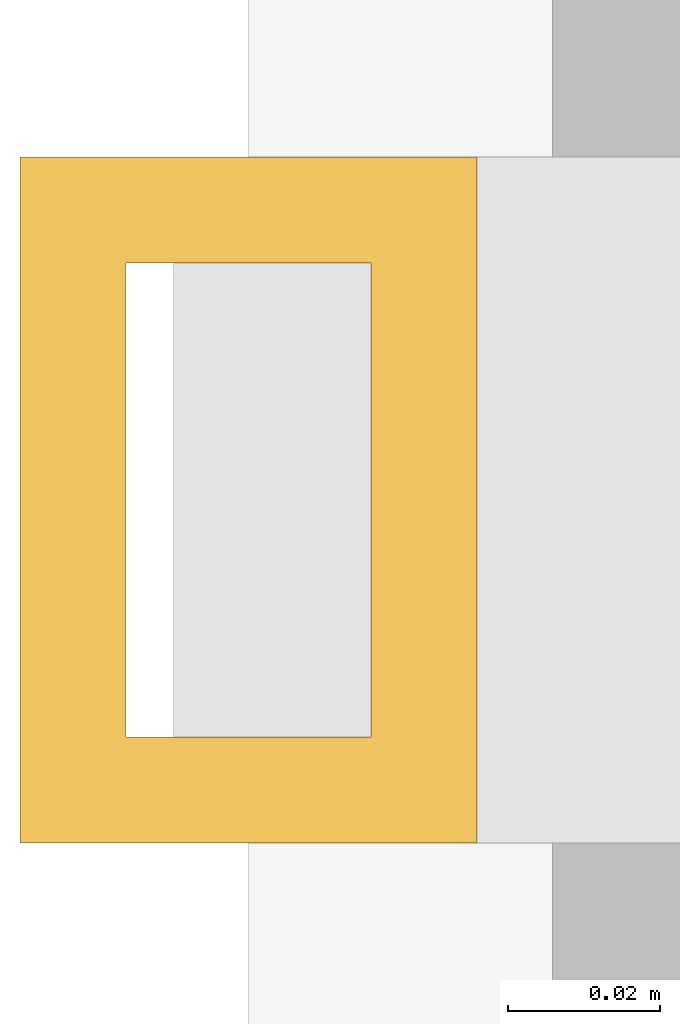
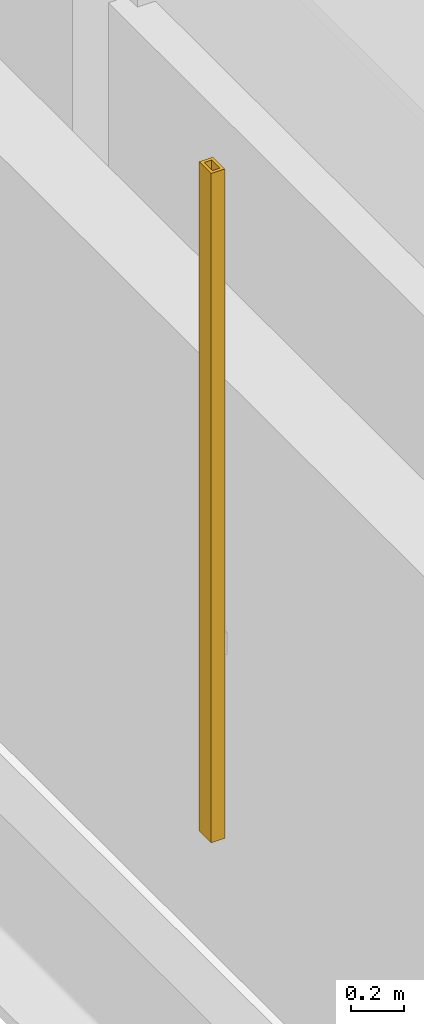
# One storey, part 26 of 28: 1 shading device.
"""IFC4 building model written with IfcOpenShell, lengths in metres."""

from ifc_helpers import new_model, si_unit, direction, frame, origin, origin_2d, place, context, subcontext, project, spatial, hollow_rectangle, extrude, material, material_profile, profile_set, type_object, element, save


model = new_model("IFC4")

# Units and contexts
model_context = context("Model", 3, precision=1e-05, world=origin(), true_north=direction((0.0, 1.0)))
body_context = subcontext(model_context, "Body", "Model", "MODEL_VIEW")
ifc_project = project(units=[si_unit("LENGTHUNIT", "METRE"), si_unit("AREAUNIT", "SQUARE_METRE"), si_unit("VOLUMEUNIT", "CUBIC_METRE"), si_unit("PLANEANGLEUNIT", "RADIAN"), si_unit("MASSUNIT", "GRAM", prefix="KILO")], contexts=[model_context])

# Site, building, storey
site_placement = place(None, origin())
site = spatial("IfcSite", under=ifc_project, at=site_placement, CompositionType="ELEMENT")
building_placement = place(site_placement, origin())
building = spatial("IfcBuilding", under=site, at=building_placement, Name="Punatoya Terracotta Tower", CompositionType="ELEMENT")
storey_placement = place(building_placement, frame((0.0, 0.0, 317.39990234375)))
storey = spatial("IfcBuildingStorey", under=building, at=storey_placement, Name="L75", CompositionType="ELEMENT", Elevation=317.39990234375)

# Shading device
ifc_material = material(Name="Architectural Fired Terracotta", Category="masonry")
ifc_material_profile = material_profile(ifc_material, hollow_rectangle(XDim=0.06005859375, YDim=0.090087890625, WallThickness=0.013916015625, at=origin_2d()))
ifc_profile_set = profile_set([ifc_material_profile], Name="Architectural Fired Terracotta")
shading_device_type = type_object("IfcShadingDeviceType", Name="SHD-JALI-90", PredefinedType="JALOUSIE", material=ifc_profile_set)
shading_device_placement = place(storey_placement, frame((-25.050048828125, 9.093505859375, 0.60009765625), z_axis=(0.0, 0.0, 1.0), x_axis=(1.0, 0.0, 0.0)))
element("IfcShadingDevice", 1, at=shading_device_placement, inside=storey, type_object=shading_device_type, Name="L75 Braced Bay Terracotta Jali Fin W1", PredefinedType="JALOUSIE", context=body_context, shape_type="SweptSolid", body=[
    extrude(hollow_rectangle(XDim=0.06005859375, YDim=0.090087890625, WallThickness=0.013916015625, at=origin_2d()), origin(), (0.0, 0.0, 1.0), 3.10009765625),
])

save(model, "model.ifc")
